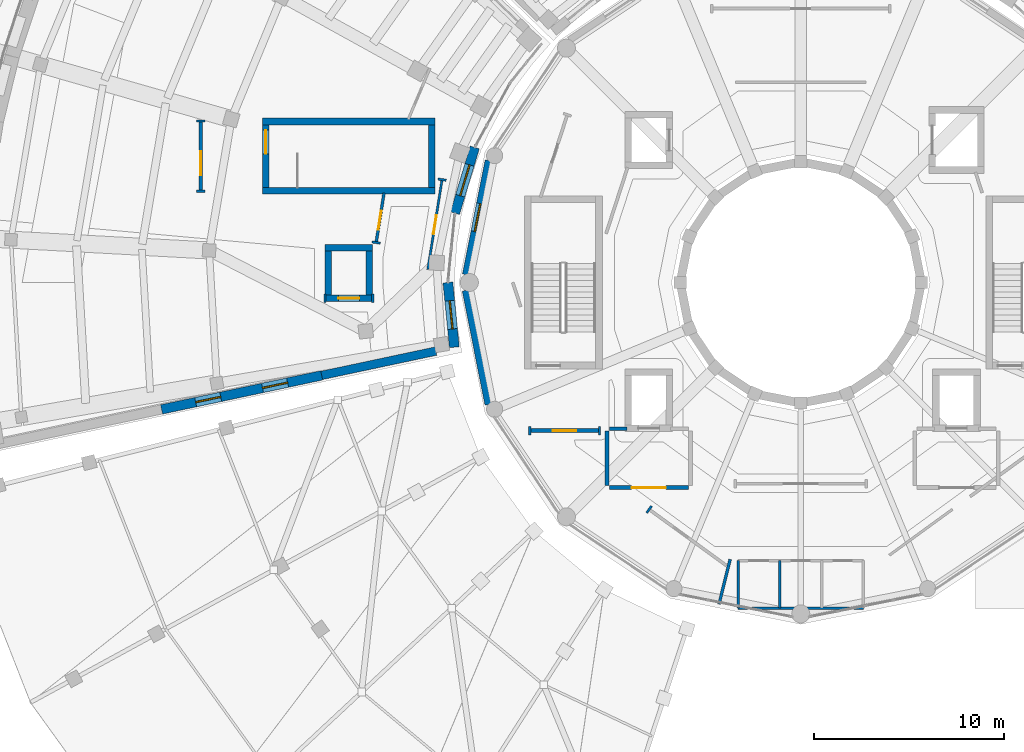
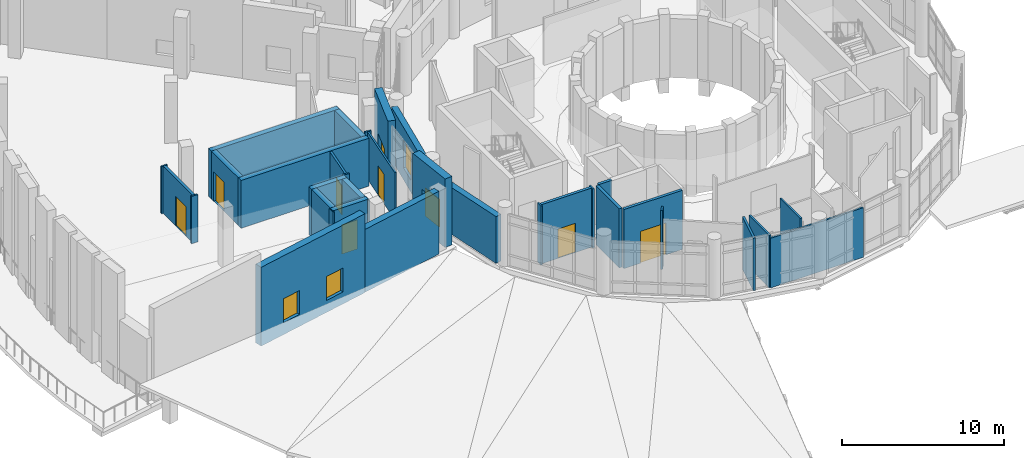
# One storey, part 49 of 75: 34 walls, 7 doors, 5 windows, 12 openings.
"""IFC4 building model written with IfcOpenShell, lengths in metres."""

from ifc_helpers import new_model, si_unit, direction, frame, frame_2d, origin, place, context, subcontext, project, spatial, rectangle, extrude, material, layer, layer_set, type_object, element, fill, save


model = new_model("IFC4")

# Units and contexts
model_context = context("Model", 3, precision=1e-05, world=origin(), true_north=direction((0.0, 1.0)))
body_context = subcontext(model_context, "Body", "Model", "MODEL_VIEW")
ifc_project = project(units=[si_unit("LENGTHUNIT", "METRE"), si_unit("AREAUNIT", "SQUARE_METRE"), si_unit("VOLUMEUNIT", "CUBIC_METRE"), si_unit("PLANEANGLEUNIT", "RADIAN"), si_unit("MASSUNIT", "GRAM", prefix="KILO")], contexts=[model_context])

# Site, building, storey
site_placement = place(None, origin())
site = spatial("IfcSite", under=ifc_project, at=site_placement, CompositionType="ELEMENT")
building_placement = place(site_placement, origin())
building = spatial("IfcBuilding", under=site, at=building_placement, Name="Soyqirgoq Riverine Aquarium", CompositionType="ELEMENT")
storey_placement = place(building_placement, frame((0.0, 0.0, 10.199951171875)))
storey = spatial("IfcBuildingStorey", under=building, at=storey_placement, Name="L03", CompositionType="ELEMENT", Elevation=10.199951171875)

# Walls
ifc_material_1 = material(Name="Concrete C40/50", Category="concrete")
ifc_layer_1 = layer(ifc_material_1, 0.35009765625)
ifc_layer_set_1 = layer_set([ifc_layer_1], Name="Concrete C40/50")
wall_type_1 = type_object("IfcWallType", Name="CoreShearWall_350_C40", PredefinedType="SHEAR", material=ifc_layer_set_1)
wall_1_placement = place(storey_placement, frame((27.64990234375, 61.824951171875, 0.0), z_axis=(0.0, 0.0, 1.0), x_axis=(1.0, 0.0, 0.0)))
element("IfcWall", 1, at=wall_1_placement, inside=storey, type_object=wall_type_1, Name="CORE-3 L03 Stair Core Shear Wall SIDE1", PredefinedType="SHEAR", context=body_context, shape_type="SweptSolid", body=[
    extrude(rectangle(XDim=9.10009765625, YDim=0.35009765625, at=frame_2d((4.550048828125, 0.0))), origin(), (0.0, 0.0, 1.0), 3.60009765625),
])
wall_2_placement = place(storey_placement, frame((36.574951171875, 62.0, 0.0), z_axis=(0.0, 0.0, 1.0), x_axis=(0.0, 1.0, 0.0)))
element("IfcWall", 2, at=wall_2_placement, inside=storey, type_object=wall_type_1, Name="CORE-3 L03 Stair Core Shear Wall BACK", PredefinedType="SHEAR", context=body_context, shape_type="SweptSolid", body=[
    extrude(rectangle(XDim=3.300048828125, YDim=0.35009765625, at=frame_2d((1.64990234375, 0.0))), origin(), (0.0, 0.0, 1.0), 3.60009765625),
])
wall_3_placement = place(storey_placement, frame((36.75, 65.47509765625, 0.0), z_axis=(0.0, 0.0, 1.0), x_axis=(-1.0, 0.0, 0.0)))
element("IfcWall", 3, at=wall_3_placement, inside=storey, type_object=wall_type_1, Name="CORE-3 L03 Stair Core Shear Wall SIDE2", PredefinedType="SHEAR", context=body_context, shape_type="SweptSolid", body=[
    extrude(rectangle(XDim=9.10009765625, YDim=0.35009765625, at=frame_2d((4.550048828125, 0.0))), origin(), (0.0, 0.0, 1.0), 3.60009765625),
])

# Wall, opening, door
wall_4_placement = place(storey_placement, frame((27.824951171875, 65.300048828125, 0.0), z_axis=(0.0, 0.0, 1.0), x_axis=(0.0, -1.0, 0.0)))
wall_4 = element("IfcWall", 4, at=wall_4_placement, inside=storey, type_object=wall_type_1, Name="CORE-3 L03 Stair Core Shear Wall FRONT", PredefinedType="SHEAR", context=body_context, shape_type="SweptSolid", body=[
    extrude(rectangle(XDim=3.300048828125, YDim=0.35009765625, at=frame_2d((1.64990234375, 0.0))), origin(), (0.0, 0.0, 1.0), 3.60009765625),
])
opening_1_placement = place(wall_4_placement, frame((0.280029296875, 0.0, 0.0)))
opening_1 = element("IfcOpeningElement", 5, at=opening_1_placement, cuts=wall_4, Name="Opening FD-01", PredefinedType="OPENING", context=body_context, shape_type="SweptSolid", body=[
    extrude(rectangle(XDim=1.25, YDim=2.199951171875, at=frame_2d((0.625, 1.10009765625))), frame((0.0, 0.18505859375, 0.0), z_axis=(0.0, -1.0, 0.0), x_axis=(1.0, 0.0, 0.0)), (0.0, 0.0, 1.0), 0.3701171875),
])
ifc_material_2 = material(Name="Galvanised steel fire-resisting stair door", Category="steel")
door_type_1 = type_object("IfcDoorType", Name="StairFireDoor_1250x2200_EI90", OperationType="NOTDEFINED", PredefinedType="DOOR", material=ifc_material_2)
door_1_placement = place(opening_1_placement, origin())
door_1 = element("IfcDoor", 6, at=door_1_placement, inside=storey, type_object=door_type_1, Name="DR-ST-3-L03 ST-3 L03 Fire-Rated Stairwell Door", OperationType="SINGLE_SWING_RIGHT", OverallHeight=2.199951171875, OverallWidth=1.25, PredefinedType="DOOR", context=body_context, shape_type="SweptSolid", body=[
    extrude(rectangle(XDim=1.25, YDim=2.199951171875, at=frame_2d((0.625, 1.10009765625))), frame((0.0, 0.02490234375, 0.0), z_axis=(0.0, -1.0, 0.0), x_axis=(1.0, 0.0, 0.0)), (0.0, 0.0, 1.0), 0.050048828125),
])
fill(opening_1, door_1)

wall_5_placement = place(storey_placement, frame((30.945068359375, 56.169921875, 0.0), z_axis=(0.0, 0.0, 1.0), x_axis=(1.0, 0.0, 0.0)))
wall_5 = element("IfcWall", 7, at=wall_5_placement, inside=storey, type_object=wall_type_1, Name="Lift PL-2 Shaft Wall L03 1", PredefinedType="SHEAR", context=body_context, shape_type="SweptSolid", body=[
    extrude(rectangle(XDim=2.510009765625, YDim=0.35009765625, at=frame_2d((1.2548828125, 0.0))), origin(), (0.0, 0.0, 1.0), 3.60009765625),
])
opening_2_placement = place(wall_5_placement, frame((0.705078125, 0.0, 0.0)))
opening_2 = element("IfcOpeningElement", 8, at=opening_2_placement, cuts=wall_5, Name="Opening LD-01", PredefinedType="OPENING", context=body_context, shape_type="SweptSolid", body=[
    extrude(rectangle(XDim=1.10009765625, YDim=2.199951171875, at=frame_2d((0.550048828125, 1.10009765625))), frame((0.0, 0.18505859375, 0.0), z_axis=(0.0, -1.0, 0.0), x_axis=(1.0, 0.0, 0.0)), (0.0, 0.0, 1.0), 0.3701171875),
])
ifc_material_3 = material(Name="Brushed stainless steel telescopic lift landing door", Category="steel")
door_type_2 = type_object("IfcDoorType", Name="LiftLandingDoor_1100x2200", OperationType="SLIDING_TO_LEFT", PredefinedType="DOOR", material=ifc_material_3)
door_2_placement = place(opening_2_placement, origin())
door_2 = element("IfcDoor", 9, at=door_2_placement, inside=storey, type_object=door_type_2, Name="LD-PL-2-L03 Lift PL-2 L03 Sliding Landing Door", OperationType="SLIDING_TO_LEFT", OverallHeight=2.199951171875, OverallWidth=1.10009765625, PredefinedType="DOOR", context=body_context, shape_type="SweptSolid", body=[
    extrude(rectangle(XDim=1.10009765625, YDim=2.199951171875, at=frame_2d((0.550048828125, 1.10009765625))), frame((0.0, 0.02490234375, 0.0), z_axis=(0.0, -1.0, 0.0), x_axis=(1.0, 0.0, 0.0)), (0.0, 0.0, 1.0), 0.050048828125),
])
fill(opening_2, door_2)

# Walls
wall_6_placement = place(storey_placement, frame((33.280029296875, 56.344970703125, 0.0), z_axis=(0.0, 0.0, 1.0), x_axis=(0.0, 1.0, 0.0)))
element("IfcWall", 10, at=wall_6_placement, inside=storey, type_object=wall_type_1, Name="Lift PL-2 Shaft Wall L03 2", PredefinedType="SHEAR", context=body_context, shape_type="SweptSolid", body=[
    extrude(rectangle(XDim=2.31005859375, YDim=0.35009765625, at=frame_2d((1.155029296875, 0.0))), origin(), (0.0, 0.0, 1.0), 3.60009765625),
])
wall_7_placement = place(storey_placement, frame((33.455078125, 58.830078125, 0.0), z_axis=(0.0, 0.0, 1.0), x_axis=(-1.0, 0.0, 0.0)))
element("IfcWall", 11, at=wall_7_placement, inside=storey, type_object=wall_type_1, Name="Lift PL-2 Shaft Wall L03 3", PredefinedType="SHEAR", context=body_context, shape_type="SweptSolid", body=[
    extrude(rectangle(XDim=2.510009765625, YDim=0.35009765625, at=frame_2d((1.2548828125, 0.0))), origin(), (0.0, 0.0, 1.0), 3.60009765625),
])
wall_8_placement = place(storey_placement, frame((31.1201171875, 58.655029296875, 0.0), z_axis=(0.0, 0.0, 1.0), x_axis=(0.0, -1.0, 0.0)))
element("IfcWall", 12, at=wall_8_placement, inside=storey, type_object=wall_type_1, Name="Lift PL-2 Shaft Wall L03 4", PredefinedType="SHEAR", context=body_context, shape_type="SweptSolid", body=[
    extrude(rectangle(XDim=2.31005859375, YDim=0.35009765625, at=frame_2d((1.155029296875, 0.0))), origin(), (0.0, 0.0, 1.0), 3.60009765625),
])
ifc_material_4 = material(Name="Lightweight steel-stud gypsum partition", Category="steel")
ifc_layer_2 = layer(ifc_material_4, 0.1201171875)
ifc_layer_set_2 = layer_set([ifc_layer_2], Name="Lightweight steel-stud gypsum partition")
wall_type_2 = type_object("IfcWallType", Name="PartitionWall_120_Std", PredefinedType="PARTITIONING", material=ifc_layer_set_2)
for number, where, z_axis, x_axis, name in (
    (13, (41.723388671875, 48.97998046875, 0.0), (0.0, 0.0, 1.0), (0.0, 1.0, 0.0), "V1 L03 Jamb Return Pier"),
    (14, (45.39990234375, 48.97998046875, 0.0), (0.0, 0.0, 1.0), (0.0, 1.0, 0.0), "V1 L03 Jamb Return Pier"),
    (15, (47.885986328125, 44.8720703125, 0.0), (0.0, 0.0, 1.0), (0.587676645097, 0.809095890984, 0.0), "V1 L03 Jamb Return Pier"),
):
    element("IfcWall", number, at=place(storey_placement, frame(where, z_axis=z_axis, x_axis=x_axis)), inside=storey, type_object=wall_type_2, Name=name, PredefinedType="PARTITIONING", context=body_context, shape_type="SweptSolid", body=[
        extrude(rectangle(XDim=0.43994140625, YDim=0.1201171875, at=frame_2d((0.219970703125, 0.0))), origin(), (0.0, 0.0, 1.0), 4.449951171875),
    ])

# Wall, opening, door
wall_9_placement = place(storey_placement, frame((36.362060546875, 57.685791015625, 0.0), z_axis=(0.0, 0.0, 1.0), x_axis=(0.156391852422, 0.987695088829, 0.0)))
wall_9 = element("IfcWall", 16, at=wall_9_placement, inside=storey, type_object=wall_type_2, Name="V3 Gallery Circulation Corridor Partition Wall", PredefinedType="PARTITIONING", context=body_context, shape_type="SweptSolid", body=[
    extrude(rectangle(XDim=4.789306640625, YDim=0.1201171875, at=frame_2d((2.39453125, 0.0))), origin(), (0.0, 0.0, 1.0), 3.550048828125),
])
opening_3_placement = place(wall_9_placement, frame((1.894775390625, 0.0, 0.0)))
opening_3 = element("IfcOpeningElement", 17, at=opening_3_placement, cuts=wall_9, Name="Opening ID-03", PredefinedType="OPENING", context=body_context, shape_type="SweptSolid", body=[
    extrude(rectangle(XDim=1.0, YDim=2.199951171875, at=frame_2d((0.5, 1.10009765625))), frame((0.0, 0.070068359375, 0.0), z_axis=(0.0, -1.0, 0.0), x_axis=(1.0, 0.0, 0.0)), (0.0, 0.0, 1.0), 0.14013671875),
])
ifc_material_5 = material(Name="Solid-core ash veneer room door", Category="wood")
door_type_3 = type_object("IfcDoorType", Name="RoomDoor_1000x2200", OperationType="NOTDEFINED", PredefinedType="DOOR", material=ifc_material_5)
door_3_placement = place(opening_3_placement, origin())
door_3 = element("IfcDoor", 18, at=door_3_placement, inside=storey, type_object=door_type_3, Name="IDR-V3-L03-0100 Central Asian Lakes Gallery Door", OperationType="SINGLE_SWING_RIGHT", OverallHeight=2.199951171875, OverallWidth=1.0, PredefinedType="DOOR", context=body_context, shape_type="SweptSolid", body=[
    extrude(rectangle(XDim=1.0, YDim=2.199951171875, at=frame_2d((0.5, 1.10009765625))), frame((0.0, 0.02490234375, 0.0), z_axis=(0.0, -1.0, 0.0), x_axis=(1.0, 0.0, 0.0)), (0.0, 0.0, 1.0), 0.050048828125),
])
fill(opening_3, door_3)

# Walls
for number, where, z_axis, x_axis, name in (
    (19, (30.945068359375, 55.949951171875, 0.0), (0.0, 0.0, 1.0), (0.0, 1.0, 0.0), "V3 L03 Jamb Return Pier"),
    (20, (33.455078125, 55.949951171875, 0.0), (0.0, 0.0, 1.0), (0.0, 1.0, 0.0), "V3 L03 Jamb Return Pier"),
):
    element("IfcWall", number, at=place(storey_placement, frame(where, z_axis=z_axis, x_axis=x_axis)), inside=storey, type_object=wall_type_2, Name=name, PredefinedType="PARTITIONING", context=body_context, shape_type="SweptSolid", body=[
        extrude(rectangle(XDim=0.43994140625, YDim=0.1201171875, at=frame_2d((0.219970703125, 0.0))), origin(), (0.0, 0.0, 1.0), 3.550048828125),
    ])
for number, where, z_axis, x_axis, name in (
    (21, (24.179931640625, 65.5, 0.0), (0.0, 0.0, 1.0), (1.0, 0.0, 0.0), "V3 L03 Jamb Return Pier"),
    (22, (24.179931640625, 61.800048828125, 0.0), (0.0, 0.0, 1.0), (1.0, 0.0, 0.0), "V3 L03 Jamb Return Pier"),
    (23, (37.32861328125, 62.3818359375, 0.0), (0.0, 0.0, 1.0), (-0.987695424831, 0.156389730378, 0.0), "V3 L03 Jamb Return Pier"),
):
    element("IfcWall", number, at=place(storey_placement, frame(where, z_axis=z_axis, x_axis=x_axis)), inside=storey, type_object=wall_type_2, Name=name, PredefinedType="PARTITIONING", context=body_context, shape_type="SweptSolid", body=[
        extrude(rectangle(XDim=0.440185546875, YDim=0.1201171875, at=frame_2d((0.22021484375, 0.0))), origin(), (0.0, 0.0, 1.0), 3.550048828125),
    ])
wall_10_placement = place(storey_placement, frame((33.85888671875, 59.067626953125, 0.0), z_axis=(0.0, 0.0, 1.0), x_axis=(-0.98768185006, 0.156475439167, 0.0)))
element("IfcWall", 24, at=wall_10_placement, inside=storey, type_object=wall_type_2, Name="V3 L03 Jamb Return Pier", PredefinedType="PARTITIONING", context=body_context, shape_type="SweptSolid", body=[
    extrude(rectangle(XDim=0.43994140625, YDim=0.1201171875, at=frame_2d((0.219970703125, 0.0))), origin(), (0.0, 0.0, 1.0), 3.550048828125),
])
ifc_material_6 = material(Name="Moisture-resistant cement-board wet-room partition", Category="gypsum")
ifc_layer_3 = layer(ifc_material_6, 0.125)
ifc_layer_set_3 = layer_set([ifc_layer_3], Name="Moisture-resistant cement-board wet-room partition")
wall_type_3 = type_object("IfcWallType", Name="PartitionWall_125_Wet", PredefinedType="PARTITIONING", material=ifc_layer_set_3)
wall_11_placement = place(storey_placement, frame((52.699951171875, 39.85009765625, 0.0), z_axis=(0.0, 0.0, 1.0), x_axis=(1.0, 0.0, 0.0)))
element("IfcWall", 25, at=wall_11_placement, inside=storey, type_object=wall_type_3, Name="V1 L03 WC Suite Back Wall", PredefinedType="PARTITIONING", context=body_context, shape_type="SweptSolid", body=[
    extrude(rectangle(XDim=6.60009765625, YDim=0.125, at=frame_2d((3.300048828125, 0.0))), origin(), (0.0, 0.0, 1.0), 3.739990234375),
])
wall_12_placement = place(storey_placement, frame((52.699951171875, 39.85009765625, 0.0), z_axis=(0.0, 0.0, 1.0), x_axis=(0.0, 1.0, 0.0)))
element("IfcWall", 26, at=wall_12_placement, inside=storey, type_object=wall_type_3, Name="V1 L03 WC Suite West Wall", PredefinedType="PARTITIONING", context=body_context, shape_type="SweptSolid", body=[
    extrude(rectangle(XDim=2.5, YDim=0.125, at=frame_2d((1.25, 0.0))), origin(), (0.0, 0.0, 1.0), 3.93994140625),
])
wall_13_placement = place(storey_placement, frame((54.89990234375, 39.85009765625, 0.0), z_axis=(0.0, 0.0, 1.0), x_axis=(0.0, 1.0, 0.0)))
element("IfcWall", 27, at=wall_13_placement, inside=storey, type_object=wall_type_3, Name="V1 L03 WC Cubicle Divider 1", PredefinedType="PARTITIONING", context=body_context, shape_type="SweptSolid", body=[
    extrude(rectangle(XDim=2.5, YDim=0.125, at=frame_2d((1.25, 0.0))), origin(), (0.0, 0.0, 1.0), 4.449951171875),
])
ifc_material_7 = material(Name="Acoustic mineral-wool twin-stud partition", Category="gypsum")
ifc_layer_4 = layer(ifc_material_7, 0.14990234375)
ifc_layer_set_4 = layer_set([ifc_layer_4], Name="Acoustic mineral-wool twin-stud partition")
wall_type_4 = type_object("IfcWallType", Name="PartitionWall_150_Acoustic", PredefinedType="PARTITIONING", material=ifc_layer_set_4)
wall_14_placement = place(storey_placement, frame((51.694091796875, 40.060302734375, 0.0), z_axis=(0.0, 0.0, 1.0), x_axis=(0.241896854066, 0.970301969488, 0.0)))
element("IfcWall", 28, at=wall_14_placement, inside=storey, type_object=wall_type_4, Name="Ocean Tank Panorama Gallery Partition Wall", PredefinedType="PARTITIONING", context=body_context, shape_type="SweptSolid", body=[
    extrude(rectangle(XDim=2.42822265625, YDim=0.14990234375, at=frame_2d((1.214111328125, 0.0))), origin(), (0.0, 0.0, 1.0), 3.93994140625),
])

# Wall, opening, door
wall_15_placement = place(storey_placement, frame((33.6416015625, 59.10205078125, 0.0), z_axis=(0.0, 0.0, 1.0), x_axis=(0.156466508954, 0.987683264805, 0.0)))
wall_15 = element("IfcWall", 29, at=wall_15_placement, inside=storey, type_object=wall_type_4, Name="Central Asian Lakes Gallery Partition Wall", PredefinedType="PARTITIONING", context=body_context, shape_type="SweptSolid", body=[
    extrude(rectangle(XDim=2.636962890625, YDim=0.14990234375, at=frame_2d((1.318359375, 0.0))), origin(), (0.0, 0.0, 1.0), 3.550048828125),
])
opening_4_placement = place(wall_15_placement, frame((0.688720703125, 0.0, 0.0)))
opening_4 = element("IfcOpeningElement", 30, at=opening_4_placement, cuts=wall_15, Name="Opening ID-03", PredefinedType="OPENING", context=body_context, shape_type="SweptSolid", body=[
    extrude(rectangle(XDim=1.0, YDim=2.199951171875, at=frame_2d((0.5, 1.10009765625))), frame((0.0, 0.0849609375, 0.0), z_axis=(0.0, -1.0, 0.0), x_axis=(1.0, 0.0, 0.0)), (0.0, 0.0, 1.0), 0.169921875),
])
door_4_placement = place(opening_4_placement, origin())
door_4 = element("IfcDoor", 31, at=door_4_placement, inside=storey, type_object=door_type_3, Name="IDR-V3-L03-0101 V3 Gallery Circulation Corridor Door", OperationType="SINGLE_SWING_LEFT", OverallHeight=2.199951171875, OverallWidth=1.0, PredefinedType="DOOR", context=body_context, shape_type="SweptSolid", body=[
    extrude(rectangle(XDim=1.0, YDim=2.199951171875, at=frame_2d((0.5, 1.10009765625))), frame((0.0, 0.02490234375, 0.0), z_axis=(0.0, -1.0, 0.0), x_axis=(1.0, 0.0, 0.0)), (0.0, 0.0, 1.0), 0.050048828125),
])
fill(opening_4, door_4)

ifc_material_8 = material(Name="Fire-rated calcium silicate twin-stud partition", Category="gypsum")
ifc_layer_5 = layer(ifc_material_8, 0.199951171875)
ifc_layer_set_5 = layer_set([ifc_layer_5], Name="Fire-rated calcium silicate twin-stud partition")
wall_type_5 = type_object("IfcWallType", Name="PartitionWall_200_EI90", PredefinedType="PARTITIONING", material=ifc_layer_set_5)
wall_16_placement = place(storey_placement, frame((45.919921875, 46.199951171875, 0.0), z_axis=(0.0, 0.0, 1.0), x_axis=(1.0, 0.0, 0.0)))
wall_16 = element("IfcWall", 32, at=wall_16_placement, inside=storey, type_object=wall_type_5, Name="CORE-1B L03 Firefighting Lobby South Enclosure Wall", PredefinedType="PARTITIONING", context=body_context, shape_type="SweptSolid", body=[
    extrude(rectangle(XDim=4.16015625, YDim=0.199951171875, at=frame_2d((2.080078125, 0.0))), origin(), (0.0, 0.0, 1.0), 4.449951171875),
])
opening_5_placement = place(wall_16_placement, frame((1.179931640625, 0.0, 0.0)))
opening_5 = element("IfcOpeningElement", 33, at=opening_5_placement, cuts=wall_16, Name="Opening FD-02", PredefinedType="OPENING", context=body_context, shape_type="SweptSolid", body=[
    extrude(rectangle(XDim=1.800048828125, YDim=2.39990234375, at=frame_2d((0.89990234375, 1.199951171875))), frame((0.0, 0.10986328125, 0.0), z_axis=(0.0, -1.0, 0.0), x_axis=(1.0, 0.0, 0.0)), (0.0, 0.0, 1.0), 0.219970703125),
])
ifc_material_9 = material(Name="Glazed steel fire-resisting corridor double door", Category="steel")
door_type_4 = type_object("IfcDoorType", Name="LobbyFireDoor_1800x2400_EI60", OperationType="DOUBLE_DOOR_SINGLE_SWING", PredefinedType="DOOR", material=ifc_material_9)
door_5_placement = place(opening_5_placement, origin())
door_5 = element("IfcDoor", 34, at=door_5_placement, inside=storey, type_object=door_type_4, Name="DR-FFL-CORE-1B-L03 CORE-1B L03 Firefighting Lobby Fire Door", OperationType="DOUBLE_DOOR_SINGLE_SWING", OverallHeight=2.39990234375, OverallWidth=1.800048828125, PredefinedType="DOOR", context=body_context, shape_type="SweptSolid", body=[
    extrude(rectangle(XDim=1.800048828125, YDim=2.39990234375, at=frame_2d((0.89990234375, 1.199951171875))), frame((0.0, 0.02490234375, 0.0), z_axis=(0.0, -1.0, 0.0), x_axis=(1.0, 0.0, 0.0)), (0.0, 0.0, 1.0), 0.050048828125),
])
fill(opening_5, door_5)

# Walls
wall_17_placement = place(storey_placement, frame((45.800048828125, 46.320068359375, 0.0), z_axis=(0.0, 0.0, 1.0), x_axis=(0.0, 1.0, 0.0)))
element("IfcWall", 35, at=wall_17_placement, inside=storey, type_object=wall_type_5, Name="CORE-1B L03 Firefighting Lobby W Wall", PredefinedType="PARTITIONING", context=body_context, shape_type="SweptSolid", body=[
    extrude(rectangle(XDim=2.85986328125, YDim=0.199951171875, at=frame_2d((1.429931640625, 0.0))), origin(), (0.0, 0.0, 1.0), 4.449951171875),
])
wall_18_placement = place(storey_placement, frame((45.919921875, 49.300048828125, 0.0), z_axis=(0.0, 0.0, 1.0), x_axis=(1.0, 0.0, 0.0)))
element("IfcWall", 36, at=wall_18_placement, inside=storey, type_object=wall_type_5, Name="CORE-1B L03 Firefighting Lobby NL Wall", PredefinedType="PARTITIONING", context=body_context, shape_type="SweptSolid", body=[
    extrude(rectangle(XDim=0.93017578125, YDim=0.199951171875, at=frame_2d((0.465087890625, 0.0))), origin(), (0.0, 0.0, 1.0), 4.449951171875),
])

# Wall, opening, door
wall_19_placement = place(storey_placement, frame((41.723388671875, 49.199951171875, 0.0), z_axis=(0.0, 0.0, 1.0), x_axis=(1.0, 0.0, 0.0)))
wall_19 = element("IfcWall", 37, at=wall_19_placement, inside=storey, type_object=wall_type_5, Name="Stair Vestibule ST-9 Fire Enclosure Wall", PredefinedType="PARTITIONING", context=body_context, shape_type="SweptSolid", body=[
    extrude(rectangle(XDim=3.676513671875, YDim=0.199951171875, at=frame_2d((1.83837890625, 0.0))), origin(), (0.0, 0.0, 1.0), 4.449951171875),
])
opening_6_placement = place(wall_19_placement, frame((1.21337890625, 0.0, 0.0)))
opening_6 = element("IfcOpeningElement", 38, at=opening_6_placement, cuts=wall_19, Name="Opening FD-01", PredefinedType="OPENING", context=body_context, shape_type="SweptSolid", body=[
    extrude(rectangle(XDim=1.25, YDim=2.199951171875, at=frame_2d((0.625, 1.10009765625))), frame((0.0, 0.10986328125, 0.0), z_axis=(0.0, -1.0, 0.0), x_axis=(1.0, 0.0, 0.0)), (0.0, 0.0, 1.0), 0.219970703125),
])
door_6_placement = place(opening_6_placement, origin())
door_6 = element("IfcDoor", 39, at=door_6_placement, inside=storey, type_object=door_type_1, Name="IDR-V1-L03-0037 Stair Vestibule ST-9 Egress Fire Door", OperationType="SINGLE_SWING_LEFT", OverallHeight=2.199951171875, OverallWidth=1.25, PredefinedType="DOOR", context=body_context, shape_type="SweptSolid", body=[
    extrude(rectangle(XDim=1.25, YDim=2.199951171875, at=frame_2d((0.625, 1.10009765625))), frame((0.0, 0.02490234375, 0.0), z_axis=(0.0, -1.0, 0.0), x_axis=(1.0, 0.0, 0.0)), (0.0, 0.0, 1.0), 0.050048828125),
])
fill(opening_6, door_6)

wall_20_placement = place(storey_placement, frame((24.39990234375, 65.5, 0.0), z_axis=(0.0, 0.0, 1.0), x_axis=(0.0, -1.0, 0.0)))
wall_20 = element("IfcWall", 40, at=wall_20_placement, inside=storey, type_object=wall_type_5, Name="Lift and Stair Lobby ST-3 Fire Enclosure Wall", PredefinedType="PARTITIONING", context=body_context, shape_type="SweptSolid", body=[
    extrude(rectangle(XDim=3.699951171875, YDim=0.199951171875, at=frame_2d((1.85009765625, 0.0))), origin(), (0.0, 0.0, 1.0), 3.550048828125),
])
opening_7_placement = place(wall_20_placement, frame((1.592529296875, 0.0, 0.0)))
opening_7 = element("IfcOpeningElement", 41, at=opening_7_placement, cuts=wall_20, Name="Opening FD-01", PredefinedType="OPENING", context=body_context, shape_type="SweptSolid", body=[
    extrude(rectangle(XDim=1.25, YDim=2.199951171875, at=frame_2d((0.625, 1.10009765625))), frame((0.0, 0.10986328125, 0.0), z_axis=(0.0, -1.0, 0.0), x_axis=(1.0, 0.0, 0.0)), (0.0, 0.0, 1.0), 0.219970703125),
])
door_7_placement = place(opening_7_placement, origin())
door_7 = element("IfcDoor", 42, at=door_7_placement, inside=storey, type_object=door_type_1, Name="IDR-V3-L03-0099 Lift and Stair Lobby ST-3 Egress Fire Door", OperationType="SINGLE_SWING_LEFT", OverallHeight=2.199951171875, OverallWidth=1.25, PredefinedType="DOOR", context=body_context, shape_type="SweptSolid", body=[
    extrude(rectangle(XDim=1.25, YDim=2.199951171875, at=frame_2d((0.625, 1.10009765625))), frame((0.0, 0.02490234375, 0.0), z_axis=(0.0, -1.0, 0.0), x_axis=(1.0, 0.0, 0.0)), (0.0, 0.0, 1.0), 0.050048828125),
])
fill(opening_7, door_7)

# Wall
ifc_material_10 = material(Name="Honed travertine limestone cavity wall", Category="masonry")
ifc_layer_6 = layer(ifc_material_10, 0.449951171875)
ifc_layer_set_6 = layer_set([ifc_layer_6], Name="Honed travertine limestone cavity wall")
wall_type_6 = type_object("IfcWallType", Name="TravertineCavityWall_450", PredefinedType="SOLIDWALL", material=ifc_layer_set_6)
wall_21_placement = place(storey_placement, frame((36.789794921875, 53.386962890625, 0.0), z_axis=(0.0, 0.0, 1.0), x_axis=(-0.978151790835, -0.207891976965, 0.0)))
element("IfcWall", 43, at=wall_21_placement, inside=storey, type_object=wall_type_6, Name="V3 L03 Exterior Travertine Wall 0141", PredefinedType="SOLIDWALL", context=body_context, shape_type="SweptSolid", body=[
    extrude(rectangle(XDim=6.152587890625, YDim=0.449951171875, at=frame_2d((3.076171875, 0.0))), origin(), (0.0, 0.0, 1.0), 4.72314453125),
])

# Wall, opening, window
ifc_material_11 = material(Name="Honed travertine limestone cavity wall", Category="masonry")
ifc_layer_7 = layer(ifc_material_11, 0.5)
ifc_layer_set_7 = layer_set([ifc_layer_7], Name="Honed travertine limestone cavity wall")
wall_type_7 = type_object("IfcWallType", Name="TravertineCavityWall_500", PredefinedType="SOLIDWALL", material=ifc_layer_set_7)
wall_22_placement = place(storey_placement, frame((38.83349609375, 64.11083984375, 0.0), z_axis=(0.0, 0.0, 1.0), x_axis=(-0.288190467342, -0.957573106626, 0.0)))
wall_22 = element("IfcWall", 44, at=wall_22_placement, inside=storey, type_object=wall_type_7, Name="V3 L03 Exterior Travertine Wall 0139", PredefinedType="SOLIDWALL", context=body_context, shape_type="SweptSolid", body=[
    extrude(rectangle(XDim=3.61474609375, YDim=0.5, at=frame_2d((1.807373046875, 0.0))), origin(), (0.0, 0.0, 1.0), 5.16015625),
])
opening_8_placement = place(wall_22_placement, frame((0.95751953125, 0.0, 0.89990234375)))
opening_8 = element("IfcOpeningElement", 45, at=opening_8_placement, cuts=wall_22, Name="Opening WN-21", PredefinedType="OPENING", context=body_context, shape_type="SweptSolid", body=[
    extrude(rectangle(XDim=1.699951171875, YDim=1.550048828125, at=frame_2d((0.85009765625, 0.77490234375))), frame((0.0, 0.260009765625, 0.0), z_axis=(0.0, -1.0, 0.0), x_axis=(1.0, 0.0, 0.0)), (0.0, 0.0, 1.0), 0.52001953125),
])
ifc_material_12 = material(Name="Thermally broken aluminium triple low-E window", Category="aluminium")
window_type_1 = type_object("IfcWindowType", Name="Win_Lab_1700x1550", PartitioningType="DOUBLE_PANEL_VERTICAL", PredefinedType="WINDOW", material=ifc_material_12)
window_1_placement = place(opening_8_placement, origin())
window_1 = element("IfcWindow", 46, at=window_1_placement, inside=storey, type_object=window_type_1, Name="V3 L03 Facade Window 0095", OverallHeight=1.550048828125, OverallWidth=1.699951171875, PartitioningType="DOUBLE_PANEL_VERTICAL", PredefinedType="WINDOW", context=body_context, shape_type="SweptSolid", body=[
    extrude(rectangle(XDim=1.699951171875, YDim=1.550048828125, at=frame_2d((0.85009765625, 0.77490234375))), frame((0.0, 0.030029296875, 0.0), z_axis=(0.0, -1.0, 0.0), x_axis=(1.0, 0.0, 0.0)), (0.0, 0.0, 1.0), 0.06005859375),
])
fill(opening_8, window_1)

# Wall, openings, windows
wall_23_placement = place(storey_placement, frame((30.771728515625, 52.10791015625, 0.0), z_axis=(0.0, 0.0, 1.0), x_axis=(-0.978147980705, -0.207909903187, 0.0)))
wall_23 = element("IfcWall", 47, at=wall_23_placement, inside=storey, type_object=wall_type_7, Name="V3 L03 Exterior Travertine Wall 0142", PredefinedType="SOLIDWALL", context=body_context, shape_type="SweptSolid", body=[
    extrude(rectangle(XDim=8.620361328125, YDim=0.5, at=frame_2d((4.31005859375, 0.0))), origin(), (0.0, 0.0, 1.0), 5.931640625),
])
opening_9_placement = place(wall_23_placement, frame((1.835205078125, 0.0, 0.89990234375)))
opening_9 = element("IfcOpeningElement", 48, at=opening_9_placement, cuts=wall_23, Name="Opening WN-08", PredefinedType="OPENING", context=body_context, shape_type="SweptSolid", body=[
    extrude(rectangle(XDim=1.35009765625, YDim=1.800048828125, at=frame_2d((0.675048828125, 0.89990234375))), frame((0.0, 0.260009765625, 0.0), z_axis=(0.0, -1.0, 0.0), x_axis=(1.0, 0.0, 0.0)), (0.0, 0.0, 1.0), 0.52001953125),
])
opening_10_placement = place(wall_23_placement, frame((5.43505859375, 0.0, 0.89990234375)))
opening_10 = element("IfcOpeningElement", 49, at=opening_10_placement, cuts=wall_23, Name="Opening WN-08", PredefinedType="OPENING", context=body_context, shape_type="SweptSolid", body=[
    extrude(rectangle(XDim=1.35009765625, YDim=1.800048828125, at=frame_2d((0.675048828125, 0.89990234375))), frame((0.0, 0.260009765625, 0.0), z_axis=(0.0, -1.0, 0.0), x_axis=(1.0, 0.0, 0.0)), (0.0, 0.0, 1.0), 0.52001953125),
])
ifc_material_13 = material(Name="Thermally broken aluminium triple low-E window", Category="aluminium")
window_type_2 = type_object("IfcWindowType", Name="Win_Office_1350x1800", PartitioningType="DOUBLE_PANEL_VERTICAL", PredefinedType="WINDOW", material=ifc_material_13)
window_2_placement = place(opening_9_placement, origin())
window_2 = element("IfcWindow", 50, at=window_2_placement, inside=storey, type_object=window_type_2, Name="V3 L03 Facade Window 0097", OverallHeight=1.800048828125, OverallWidth=1.35009765625, PartitioningType="DOUBLE_PANEL_VERTICAL", PredefinedType="WINDOW", context=body_context, shape_type="SweptSolid", body=[
    extrude(rectangle(XDim=1.35009765625, YDim=1.800048828125, at=frame_2d((0.675048828125, 0.89990234375))), frame((0.0, 0.030029296875, 0.0), z_axis=(0.0, -1.0, 0.0), x_axis=(1.0, 0.0, 0.0)), (0.0, 0.0, 1.0), 0.06005859375),
])
fill(opening_9, window_2)
window_3_placement = place(opening_10_placement, origin())
window_3 = element("IfcWindow", 51, at=window_3_placement, inside=storey, type_object=window_type_2, Name="V3 L03 Facade Window 0098", OverallHeight=1.800048828125, OverallWidth=1.35009765625, PartitioningType="DOUBLE_PANEL_VERTICAL", PredefinedType="WINDOW", context=body_context, shape_type="SweptSolid", body=[
    extrude(rectangle(XDim=1.35009765625, YDim=1.800048828125, at=frame_2d((0.675048828125, 0.89990234375))), frame((0.0, 0.030029296875, 0.0), z_axis=(0.0, -1.0, 0.0), x_axis=(1.0, 0.0, 0.0)), (0.0, 0.0, 1.0), 0.06005859375),
])
fill(opening_10, window_3)

# Wall, opening, window
ifc_material_14 = material(Name="Honed travertine limestone cavity wall", Category="masonry")
ifc_layer_8 = layer(ifc_material_14, 0.52001953125)
ifc_layer_set_8 = layer_set([ifc_layer_8], Name="Honed travertine limestone cavity wall")
wall_type_8 = type_object("IfcWallType", Name="TravertineCavityWall_520", PredefinedType="SOLIDWALL", material=ifc_layer_set_8)
wall_24_placement = place(storey_placement, frame((37.4189453125, 56.999755859375, 0.0), z_axis=(0.0, 0.0, 1.0), x_axis=(0.09912244439, -0.995075243898, 0.0)))
wall_24 = element("IfcWall", 52, at=wall_24_placement, inside=storey, type_object=wall_type_8, Name="V3 L03 Exterior Travertine Wall 0140", PredefinedType="SOLIDWALL", context=body_context, shape_type="SweptSolid", body=[
    extrude(rectangle(XDim=3.423583984375, YDim=0.52001953125, at=frame_2d((1.7119140625, 0.0))), origin(), (0.0, 0.0, 1.0), 5.16015625),
])
opening_11_placement = place(wall_24_placement, frame((0.9619140625, 0.0, 0.89990234375)))
opening_11 = element("IfcOpeningElement", 53, at=opening_11_placement, cuts=wall_24, Name="Opening WN-04", PredefinedType="OPENING", context=body_context, shape_type="SweptSolid", body=[
    extrude(rectangle(XDim=1.5, YDim=2.10009765625, at=frame_2d((0.75, 1.050048828125))), frame((0.0, 0.27001953125, 0.0), z_axis=(0.0, -1.0, 0.0), x_axis=(1.0, 0.0, 0.0)), (0.0, 0.0, 1.0), 0.5400390625),
])
ifc_material_15 = material(Name="Thermally broken aluminium triple low-E window", Category="aluminium")
window_type_3 = type_object("IfcWindowType", Name="Win_Gallery_1500x2100", PartitioningType="DOUBLE_PANEL_VERTICAL", PredefinedType="WINDOW", material=ifc_material_15)
window_4_placement = place(opening_11_placement, origin())
window_4 = element("IfcWindow", 54, at=window_4_placement, inside=storey, type_object=window_type_3, Name="V3 L03 Facade Window 0096", OverallHeight=2.10009765625, OverallWidth=1.5, PartitioningType="DOUBLE_PANEL_VERTICAL", PredefinedType="WINDOW", context=body_context, shape_type="SweptSolid", body=[
    extrude(rectangle(XDim=1.5, YDim=2.10009765625, at=frame_2d((0.75, 1.050048828125))), frame((0.0, 0.030029296875, 0.0), z_axis=(0.0, -1.0, 0.0), x_axis=(1.0, 0.0, 0.0)), (0.0, 0.0, 1.0), 0.06005859375),
])
fill(opening_11, window_4)

ifc_material_16 = material(Name="Honed travertine limestone cavity wall", Category="masonry")
ifc_layer_9 = layer(ifc_material_16, 0.39990234375)
ifc_layer_set_9 = layer_set([ifc_layer_9], Name="Honed travertine limestone cavity wall")
wall_type_9 = type_object("IfcWallType", Name="TravertineSpandrelWall_400", PredefinedType="SOLIDWALL", material=ifc_layer_set_9)
wall_25_placement = place(storey_placement, frame((38.3818359375, 57.411865234375, 0.0), z_axis=(0.0, 0.0, 1.0), x_axis=(0.195089418663, 0.980785460091, 0.0)))
wall_25 = element("IfcWall", 55, at=wall_25_placement, inside=storey, type_object=wall_type_9, Name="V1 L03 Exterior Travertine Wall 0030", PredefinedType="SOLIDWALL", context=body_context, shape_type="SweptSolid", body=[
    extrude(rectangle(XDim=6.128173828125, YDim=0.39990234375, at=frame_2d((3.06396484375, 0.0))), origin(), (0.0, 0.0, 1.0), 3.93994140625),
])
opening_12_placement = place(wall_25_placement, frame((2.314208984375, 0.0, 0.89990234375)))
opening_12 = element("IfcOpeningElement", 56, at=opening_12_placement, cuts=wall_25, Name="Opening WN-04", PredefinedType="OPENING", context=body_context, shape_type="SweptSolid", body=[
    extrude(rectangle(XDim=1.5, YDim=2.10009765625, at=frame_2d((0.75, 1.050048828125))), frame((0.0, 0.2099609375, 0.0), z_axis=(0.0, -1.0, 0.0), x_axis=(1.0, 0.0, 0.0)), (0.0, 0.0, 1.0), 0.419921875),
])
window_5_placement = place(opening_12_placement, origin())
window_5 = element("IfcWindow", 57, at=window_5_placement, inside=storey, type_object=window_type_3, Name="V1 L03 Facade Window 0016", OverallHeight=2.10009765625, OverallWidth=1.5, PartitioningType="DOUBLE_PANEL_VERTICAL", PredefinedType="WINDOW", context=body_context, shape_type="SweptSolid", body=[
    extrude(rectangle(XDim=1.5, YDim=2.10009765625, at=frame_2d((0.75, 1.050048828125))), frame((0.0, 0.030029296875, 0.0), z_axis=(0.0, -1.0, 0.0), x_axis=(1.0, 0.0, 0.0)), (0.0, 0.0, 1.0), 0.06005859375),
])
fill(opening_12, window_5)

# Wall
ifc_material_17 = material(Name="Honed travertine limestone cavity wall", Category="masonry")
ifc_layer_10 = layer(ifc_material_17, 0.419921875)
ifc_layer_set_10 = layer_set([ifc_layer_10], Name="Honed travertine limestone cavity wall")
wall_type_10 = type_object("IfcWallType", Name="TravertineSpandrelWall_420", PredefinedType="SOLIDWALL", material=ifc_layer_set_10)
wall_26_placement = place(storey_placement, frame((39.577392578125, 50.57763671875, 0.0), z_axis=(0.0, 0.0, 1.0), x_axis=(-0.195089418663, 0.980785460091, 0.0)))
element("IfcWall", 58, at=wall_26_placement, inside=storey, type_object=wall_type_10, Name="V1 L03 Exterior Travertine Wall 0036", PredefinedType="SOLIDWALL", context=body_context, shape_type="SweptSolid", body=[
    extrude(rectangle(XDim=6.128173828125, YDim=0.419921875, at=frame_2d((3.06396484375, 0.0))), origin(), (0.0, 0.0, 1.0), 3.52001953125),
])

save(model, "model.ifc")
